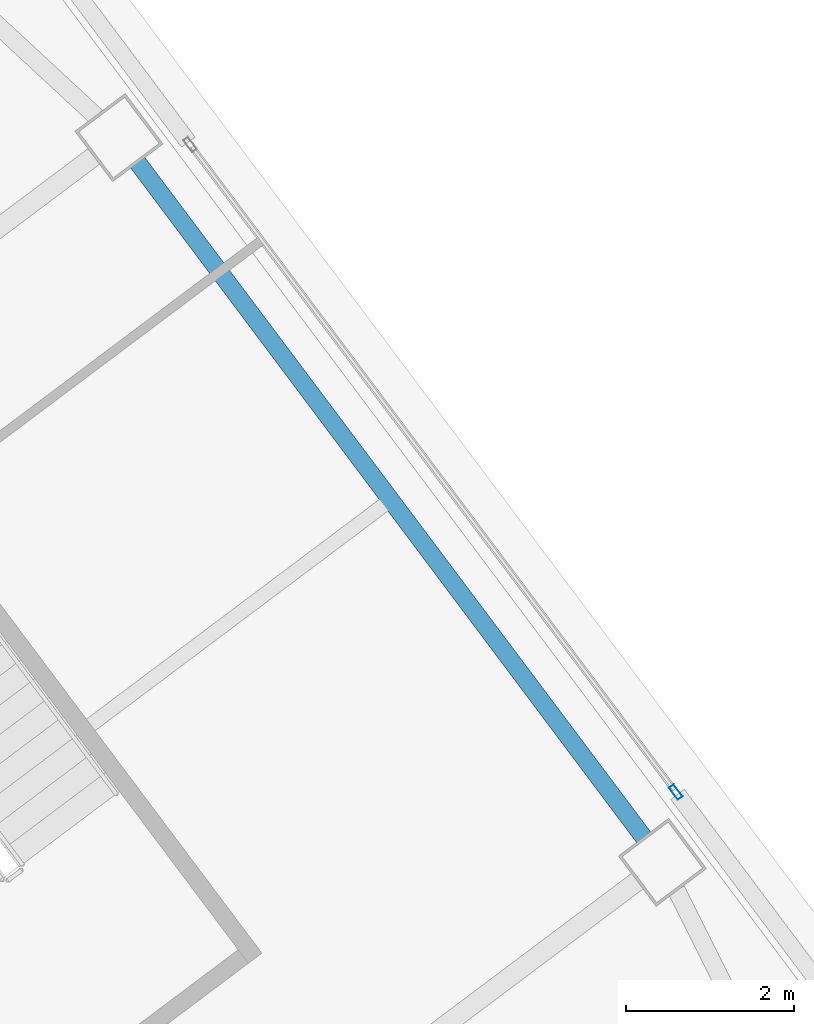
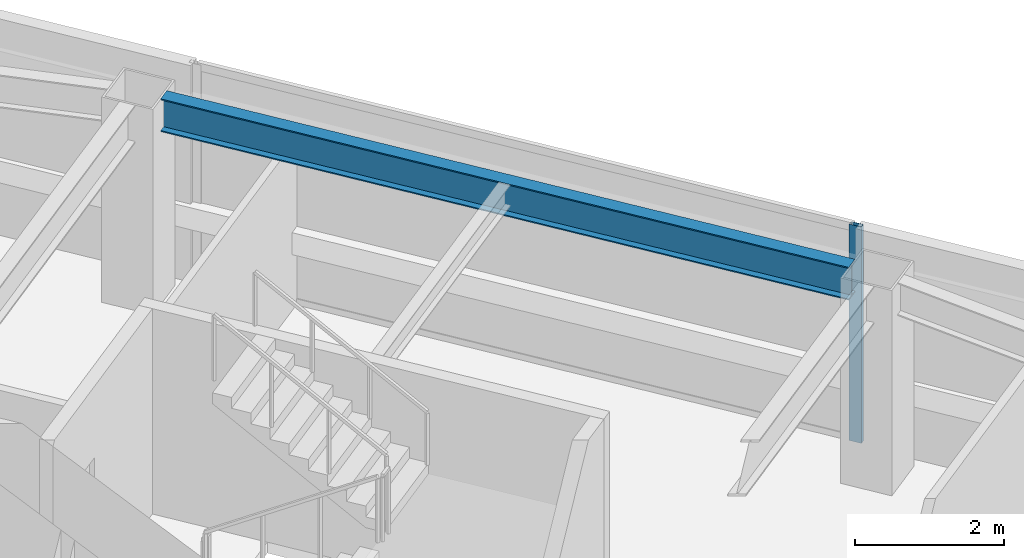
# One storey, part 24 of 41: 1 beam, 1 member, 1 element without a shape of its own.
"""IFC4 building model written with IfcOpenShell, lengths in metres."""

from ifc_helpers import new_model, si_unit, direction, frame, origin, origin_2d, place, context, subcontext, project, spatial, hollow_rectangle, i_section, extrude, material, material_profile, profile_set, type_object, element, aggregate, save


model = new_model("IFC4")

# Units and contexts
model_context = context("Model", 3, precision=1e-05, world=origin(), true_north=direction((0.0, 1.0)))
body_context = subcontext(model_context, "Body", "Model", "MODEL_VIEW")
ifc_project = project(units=[si_unit("LENGTHUNIT", "METRE"), si_unit("AREAUNIT", "SQUARE_METRE"), si_unit("VOLUMEUNIT", "CUBIC_METRE"), si_unit("PLANEANGLEUNIT", "RADIAN"), si_unit("MASSUNIT", "GRAM", prefix="KILO")], contexts=[model_context])

# Site, building, storey
site_placement = place(None, origin())
site = spatial("IfcSite", under=ifc_project, at=site_placement, CompositionType="ELEMENT")
building_placement = place(site_placement, origin())
building = spatial("IfcBuilding", under=site, at=building_placement, Name="Tashvorn Skyway Center", CompositionType="ELEMENT")
storey_placement = place(building_placement, frame((0.0, 0.0, 174.75)))
storey = spatial("IfcBuildingStorey", under=building, at=storey_placement, Name="L47", CompositionType="ELEMENT", Elevation=174.75)

# Beam
ifc_material_1 = material(Name="Steel ASTM A992 Grade 50", Category="steel")
ifc_material_profile_1 = material_profile(ifc_material_1, i_section(OverallWidth=0.2109375, OverallDepth=0.5390625, WebThickness=0.01171875, FlangeThickness=0.018798828125, at=origin_2d()), Name="W21X73")
ifc_profile_set_1 = profile_set([ifc_material_profile_1], Name="Steel ASTM A992 Grade 50")
beam_type = type_object("IfcBeamType", Name="BM-SPANDREL-W21X73", PredefinedType="SPANDREL", material=ifc_profile_set_1)
beam_placement = place(storey_placement, frame((129.93798828125, 37.666015625, 3.1005859375), z_axis=(-0.599988351091, 0.800008736549, 0.0), x_axis=(-0.800008736549, -0.599988351091, 0.0)))
element("IfcBeam", 1, at=beam_placement, inside=storey, type_object=beam_type, Name="Tower 2 L47 Spandrel Beam 05", PredefinedType="SPANDREL", context=body_context, shape_type="SweptSolid", body=[
    extrude(i_section(OverallWidth=0.2109375, OverallDepth=0.5390625, WebThickness=0.01171875, FlangeThickness=0.018798828125, at=origin_2d()), origin(), (0.0, 0.0, 1.0), 10.06005859375),
])

# Curtain wall, member
ifc_material_2 = material(Name="Thermally broken bronze-anodized aluminium 6063-T6", Category="aluminium")
curtain_wall_type = type_object("IfcCurtainWallType", Name="CW-CW-Z4", PredefinedType="NOTDEFINED", material=ifc_material_2)
curtain_wall_placement = place(storey_placement, origin())
curtain_wall = element("IfcCurtainWall", 2, at=curtain_wall_placement, inside=storey, type_object=curtain_wall_type, Name="Tower 2 L47 East Unitised Curtain Wall Glazing Group 2", PredefinedType="NOTDEFINED")
ifc_material_profile_2 = material_profile(ifc_material_2, hollow_rectangle(XDim=0.070068359375, YDim=0.179931640625, WallThickness=0.00390625, at=origin_2d()), Name="ALU-MULL-70x180")
ifc_profile_set_2 = profile_set([ifc_material_profile_2], Name="Thermally broken bronze-anodized aluminium 6063-T6")
member_type = type_object("IfcMemberType", Name="CWM-CW-Z4", PredefinedType="MULLION", material=ifc_profile_set_2)
member_placement = place(storey_placement, frame((130.319091796875, 38.2080078125, 0.0), z_axis=(0.0, 0.0, 1.0), x_axis=(0.799999999998, 0.600000000002, 0.0)))
member = element("IfcMember", 3, at=member_placement, type_object=member_type, Name="CW-Z4 mullion 2", PredefinedType="MULLION", context=body_context, shape_type="SweptSolid", body=[
    extrude(hollow_rectangle(XDim=0.070068359375, YDim=0.179931640625, WallThickness=0.00390625, at=origin_2d()), origin(), (0.0, 0.0, 1.0), 3.550048828125),
])
aggregate(curtain_wall, [member])

save(model, "model.ifc")
